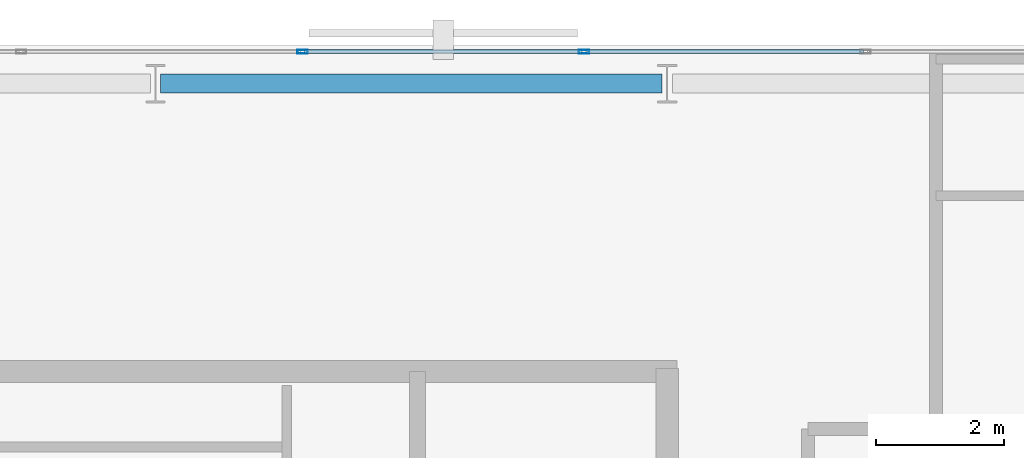
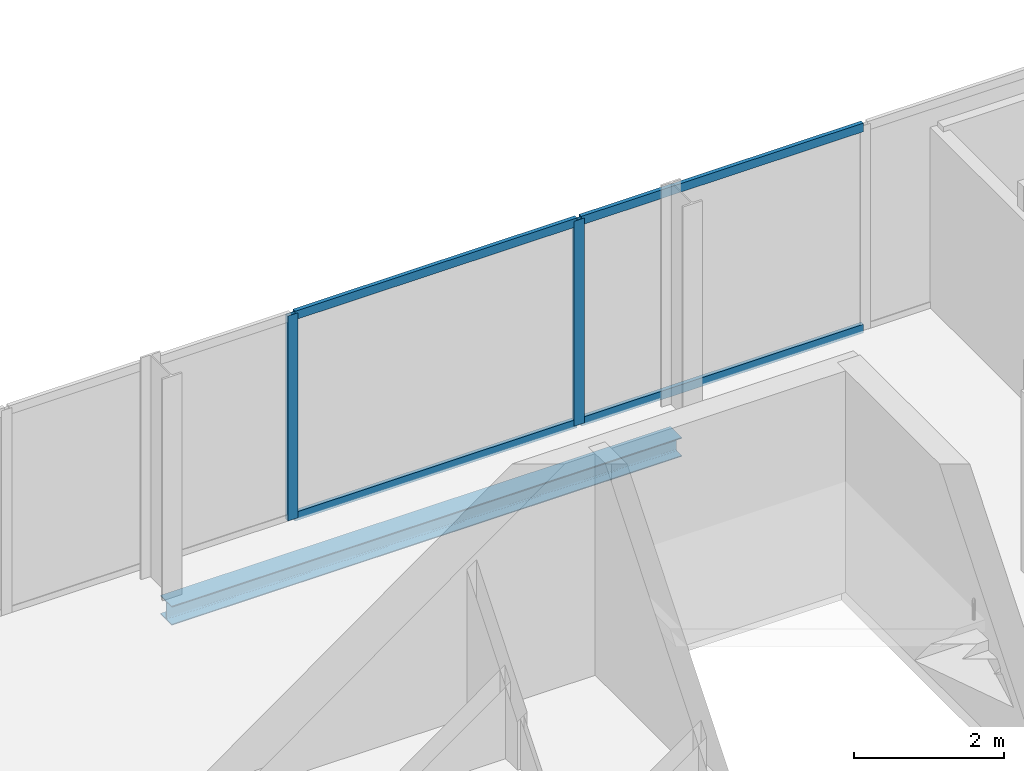
# One storey, part 24 of 32: 6 members, 1 beam, 1 element without a shape of its own.
"""IFC4 building model written with IfcOpenShell, lengths in metres."""

from ifc_helpers import new_model, si_unit, direction, frame, origin, origin_2d, place, context, subcontext, project, spatial, hollow_rectangle, i_section, extrude, material, layer, layer_set, material_profile, profile_set, type_object, element, aggregate, save


model = new_model("IFC4")

# Units and contexts
model_context = context("Model", 3, precision=1e-05, world=origin(), true_north=direction((0.0, 1.0)))
body_context = subcontext(model_context, "Body", "Model", "MODEL_VIEW")
ifc_project = project(units=[si_unit("LENGTHUNIT", "METRE"), si_unit("AREAUNIT", "SQUARE_METRE"), si_unit("VOLUMEUNIT", "CUBIC_METRE"), si_unit("PLANEANGLEUNIT", "RADIAN"), si_unit("MASSUNIT", "GRAM", prefix="KILO")], contexts=[model_context])

# Site, building, storey
site_placement = place(None, origin())
site = spatial("IfcSite", under=ifc_project, at=site_placement, CompositionType="ELEMENT")
building_placement = place(site_placement, origin())
building = spatial("IfcBuilding", under=site, at=building_placement, Name="Catumbela Crestline Tower", CompositionType="ELEMENT")
storey_placement = place(building_placement, frame((0.0, 0.0, 136.8)))
storey = spatial("IfcBuildingStorey", under=building, at=storey_placement, Name="L35", CompositionType="ELEMENT", Elevation=136.8)

# Curtain wall, members
ifc_material_1 = material(Name="Aluminium alloy AW-6060-T66", Category="aluminium")
ifc_layer = layer(ifc_material_1, 0.18, Name="Aluminium alloy AW-6060-T66")
ifc_layer_set = layer_set([ifc_layer], Name="Aluminium alloy AW-6060-T66")
curtain_wall_type = type_object("IfcCurtainWallType", Name="CWU-Z2", PredefinedType="USERDEFINED", material=ifc_layer_set)
curtain_wall_placement = place(storey_placement, origin())
curtain_wall = element("IfcCurtainWall", 1, at=curtain_wall_placement, inside=storey, type_object=curtain_wall_type, Name="L35 Unitised Curtain Wall CW-L35-E7S1", ObjectType="UNITISED", PredefinedType="USERDEFINED")
ifc_material_profile_1 = material_profile(ifc_material_1, hollow_rectangle(XDim=0.06, YDim=0.16, WallThickness=0.004, at=origin_2d()), Name="ALU 160x60x4")
ifc_profile_set_1 = profile_set([ifc_material_profile_1], Name="Aluminium alloy AW-6060-T66")
member_type_1 = type_object("IfcMemberType", Name="MUL-160X60", PredefinedType="MULLION", material=ifc_profile_set_1)
member_1_placement = place(storey_placement, frame((38.7, 47.9, 0.0), z_axis=(0.0, 0.0, 1.0), x_axis=(0.0, -1.0, 0.0)))
member_1 = element("IfcMember", 2, at=member_1_placement, type_object=member_type_1, Name="CWU-Z2 mullion 3", PredefinedType="MULLION", context=body_context, shape_type="SweptSolid", body=[
    extrude(hollow_rectangle(XDim=0.06, YDim=0.16, WallThickness=0.004, at=origin_2d()), origin(), (0.0, 0.0, 1.0), 3.33),
])
member_2_placement = place(storey_placement, frame((34.3, 47.9, 0.0), z_axis=(0.0, 0.0, 1.0), x_axis=(0.0, -1.0, 0.0)))
member_2 = element("IfcMember", 3, at=member_2_placement, type_object=member_type_1, Name="CWU-Z2 mullion 4", PredefinedType="MULLION", context=body_context, shape_type="SweptSolid", body=[
    extrude(hollow_rectangle(XDim=0.06, YDim=0.16, WallThickness=0.004, at=origin_2d()), origin(), (0.0, 0.0, 1.0), 3.33),
])

# Beam
ifc_material_2 = material(Name="Structural steel S355J2", Category="steel")
ifc_material_profile_2 = material_profile(ifc_material_2, i_section(OverallWidth=0.3, OverallDepth=0.31, WebThickness=0.009, FlangeThickness=0.0155, FilletRadius=0.027, at=origin_2d()), Name="HEA 320")
ifc_profile_set_2 = profile_set([ifc_material_profile_2], Name="Structural steel S355J2")
beam_type = type_object("IfcBeamType", Name="BS-HEA320", PredefinedType="SPANDREL", material=ifc_profile_set_2)
beam_placement = place(storey_placement, frame((32.08, 47.4, -0.415), z_axis=(1.0, 0.0, 0.0), x_axis=(0.0, 1.0, 0.0)))
element("IfcBeam", 4, at=beam_placement, inside=storey, type_object=beam_type, Name="L35 Spandrel SP-L35-NF20", PredefinedType="SPANDREL", context=body_context, shape_type="SweptSolid", body=[
    extrude(i_section(OverallWidth=0.3, OverallDepth=0.31, WebThickness=0.009, FlangeThickness=0.0155, FilletRadius=0.027, at=origin_2d()), origin(), (0.0, 0.0, 1.0), 7.84),
])

# Member
ifc_material_profile_3 = material_profile(ifc_material_1, hollow_rectangle(XDim=0.06, YDim=0.14, WallThickness=0.004, at=origin_2d()), Name="ALU 140x60x4")
ifc_profile_set_3 = profile_set([ifc_material_profile_3], Name="Aluminium alloy AW-6060-T66")
member_type_2 = type_object("IfcMemberType", Name="TRN-140X60", PredefinedType="USERDEFINED", material=ifc_profile_set_3)
member_3_placement = place(storey_placement, frame((43.0675, 47.9, 0.03), z_axis=(-1.0, 0.0, 0.0), x_axis=(0.0, -1.0, 0.0)))
member_3 = element("IfcMember", 5, at=member_3_placement, type_object=member_type_2, Name="CWU-Z2 transom 2.1", ObjectType="TRANSOM", PredefinedType="USERDEFINED", context=body_context, shape_type="SweptSolid", body=[
    extrude(hollow_rectangle(XDim=0.06, YDim=0.14, WallThickness=0.004, at=origin_2d()), origin(), (0.0, 0.0, 1.0), 4.335),
])

member_4_placement = place(storey_placement, frame((43.0675, 47.9, 3.3), z_axis=(-1.0, 0.0, 0.0), x_axis=(0.0, -1.0, 0.0)))
member_4 = element("IfcMember", 6, at=member_4_placement, type_object=member_type_2, Name="CWU-Z2 transom 2.2", ObjectType="TRANSOM", PredefinedType="USERDEFINED", context=body_context, shape_type="SweptSolid", body=[
    extrude(hollow_rectangle(XDim=0.06, YDim=0.14, WallThickness=0.004, at=origin_2d()), origin(), (0.0, 0.0, 1.0), 4.335),
])

member_5_placement = place(storey_placement, frame((38.6675, 47.9, 0.03), z_axis=(-1.0, 0.0, 0.0), x_axis=(0.0, -1.0, 0.0)))
member_5 = element("IfcMember", 7, at=member_5_placement, type_object=member_type_2, Name="CWU-Z2 transom 3.1", ObjectType="TRANSOM", PredefinedType="USERDEFINED", context=body_context, shape_type="SweptSolid", body=[
    extrude(hollow_rectangle(XDim=0.06, YDim=0.14, WallThickness=0.004, at=origin_2d()), origin(), (0.0, 0.0, 1.0), 4.335),
])

member_6_placement = place(storey_placement, frame((38.6675, 47.9, 3.3), z_axis=(-1.0, 0.0, 0.0), x_axis=(0.0, -1.0, 0.0)))
member_6 = element("IfcMember", 8, at=member_6_placement, type_object=member_type_2, Name="CWU-Z2 transom 3.2", ObjectType="TRANSOM", PredefinedType="USERDEFINED", context=body_context, shape_type="SweptSolid", body=[
    extrude(hollow_rectangle(XDim=0.06, YDim=0.14, WallThickness=0.004, at=origin_2d()), origin(), (0.0, 0.0, 1.0), 4.335),
])

aggregate(curtain_wall, [member_1, member_2, member_3, member_4, member_5, member_6])

save(model, "model.ifc")
